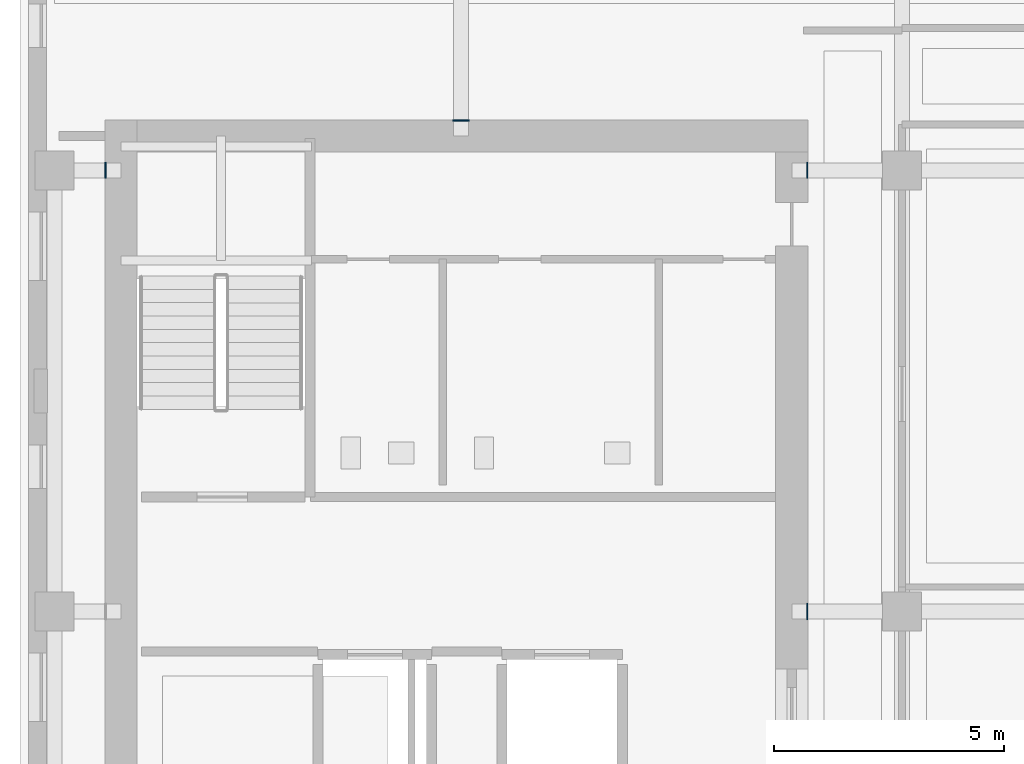
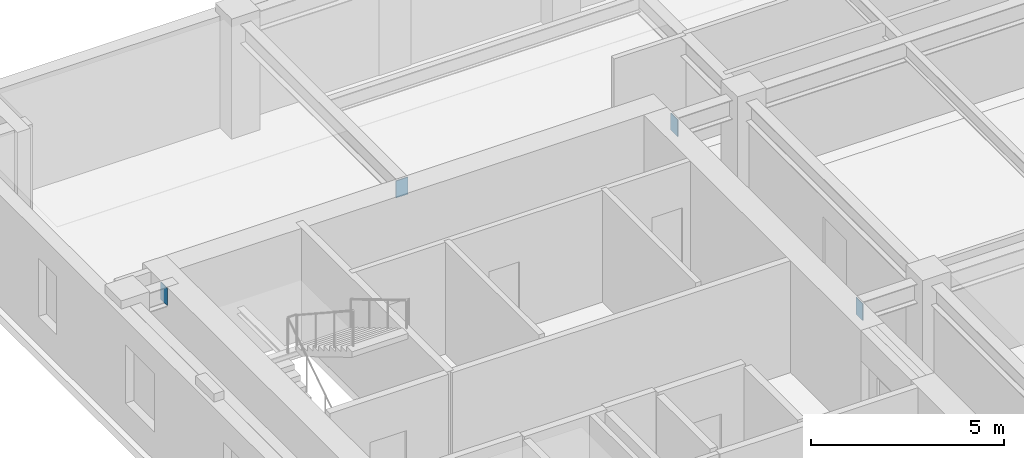
# One storey, part 9 of 14: 4 discrete accessories.
"""IFC4 building model written with IfcOpenShell, lengths in metres."""

from ifc_helpers import new_model, si_unit, direction, frame, origin, origin_2d, place, context, subcontext, project, spatial, rectangle, extrude, material, layer, layer_set, type_object, element, save


model = new_model("IFC4")

# Units and contexts
model_context = context("Model", 3, precision=1e-05, world=origin(), true_north=direction((0.0, 1.0)))
body_context = subcontext(model_context, "Body", "Model", "MODEL_VIEW")
ifc_project = project(units=[si_unit("LENGTHUNIT", "METRE"), si_unit("AREAUNIT", "SQUARE_METRE"), si_unit("VOLUMEUNIT", "CUBIC_METRE"), si_unit("PLANEANGLEUNIT", "RADIAN"), si_unit("MASSUNIT", "GRAM", prefix="KILO")], contexts=[model_context])

# Site, building, storey
site_placement = place(None, origin())
site = spatial("IfcSite", under=ifc_project, at=site_placement, CompositionType="ELEMENT")
building_placement = place(site_placement, origin())
building = spatial("IfcBuilding", under=site, at=building_placement, Name="Norrvale University Quadrangle", CompositionType="ELEMENT")
storey_placement = place(building_placement, frame((0.0, 0.0, 214.199951171875)))
storey = spatial("IfcBuildingStorey", under=building, at=storey_placement, Name="L54", CompositionType="ELEMENT", Elevation=214.199951171875)

# Discrete accessories
ifc_material = material(Name="Steel 350W", Category="steel")
ifc_layer = layer(ifc_material, 0.02490234375, Name="Steel 350W")
ifc_layer_set = layer_set([ifc_layer], Name="Steel 350W")
discrete_accessory_type = type_object("IfcDiscreteAccessoryType", Name="Accessory Cast In Embed Plate", PredefinedType="ANCHORPLATE", material=ifc_layer_set)
for number, where, z_axis, x_axis, name in (
    (1, (17.137451171875, 37.64990234375, 2.9599609375), (0.0, 0.0, 1.0), (1.0, 0.0, 0.0), "Core Wall Cast-in Embed Plate L54-GCE058"),
    (2, (1.862548828125, 47.25, 2.9599609375), (0.0, 0.0, 1.0), (1.0, 0.0, 0.0), "Core Wall Cast-in Embed Plate L54-GCW059"),
    (3, (17.137451171875, 47.25, 2.9599609375), (0.0, 0.0, 1.0), (1.0, 0.0, 0.0), "Core Wall Cast-in Embed Plate L54-GCE060"),
):
    element("IfcDiscreteAccessory", number, at=place(storey_placement, frame(where, z_axis=z_axis, x_axis=x_axis)), inside=storey, type_object=discrete_accessory_type, Name=name, PredefinedType="ANCHORPLATE", context=body_context, shape_type="SweptSolid", body=[
        extrude(rectangle(XDim=0.02490234375, YDim=0.35009765625, at=origin_2d()), origin(), (0.0, 0.0, 1.0), 0.5400390625),
    ])
discrete_accessory_placement = place(storey_placement, frame((9.60009765625, 48.33740234375, 2.9599609375), z_axis=(0.0, 0.0, 1.0), x_axis=(1.0, 0.0, 0.0)))
element("IfcDiscreteAccessory", 4, at=discrete_accessory_placement, inside=storey, type_object=discrete_accessory_type, Name="Core Wall Cast-in Embed Plate L54-GCN079", PredefinedType="ANCHORPLATE", context=body_context, shape_type="SweptSolid", body=[
    extrude(rectangle(XDim=0.35009765625, YDim=0.02490234375, at=origin_2d()), origin(), (0.0, 0.0, 1.0), 0.5400390625),
])

save(model, "model.ifc")
